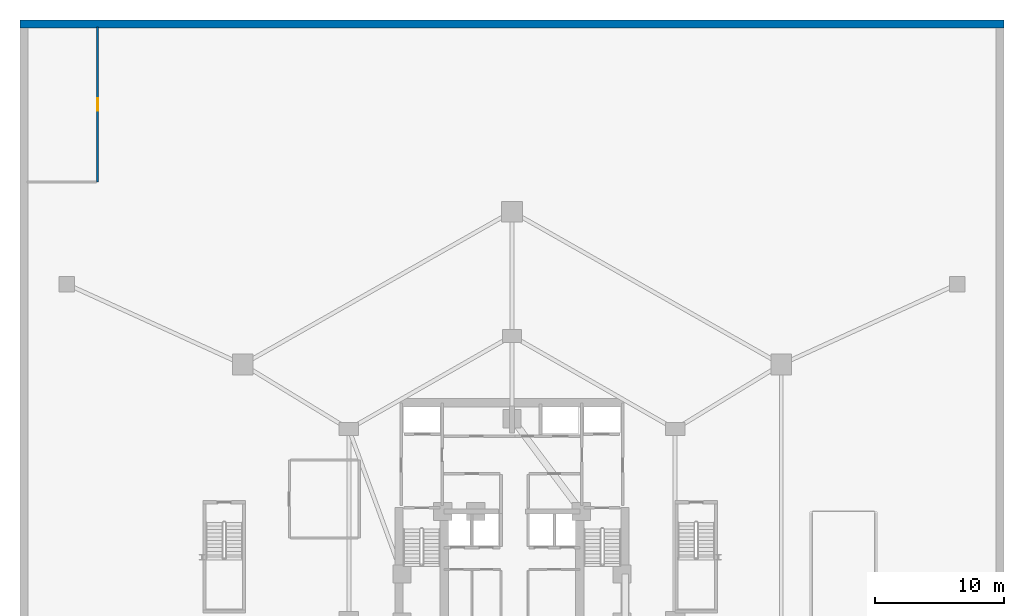
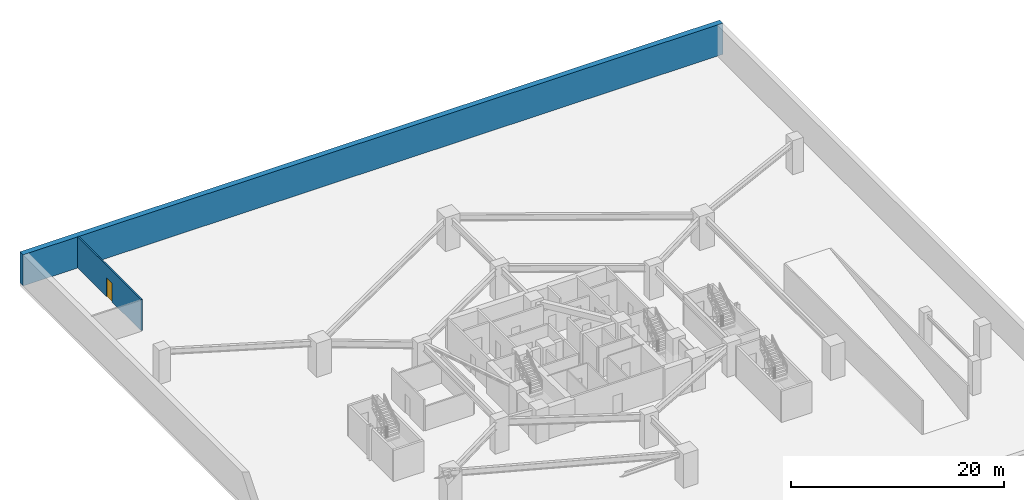
# One storey, part 9 of 12: 2 walls, 1 door, 1 opening.
"""IFC4 building model written with IfcOpenShell, lengths in metres."""

import ifcopenshell
import ifcopenshell.guid

model = None  # the IFC model being written
_history = None  # IfcOwnerHistory: only IFC2X3 demands one
_inside = {}  # id of a spatial element -> (the spatial element, [elements in it])
_under = {}  # id of a project, library or spatial element -> (it, [spatial elements below it])
_declared = {}  # id of a project -> (the project, [libraries it declares])
_typed = {}  # id of a type object -> (the type object, [elements of that type])
_made_of = {}  # id of a material, layer set ... -> (it, [elements and type objects made of it])


def new_model(schema):
    """Start an empty IFC model of exactly this schema.

    Asked for "IFC4X3", IfcOpenShell would pick the latest addendum, in which some entities
    have other attributes; the version numbers below select the first issue.
    IFC2X3 requires an IfcOwnerHistory on every rooted entity: one is made here for all.
    """
    global model, _history
    if schema == "IFC4X3":
        model = ifcopenshell.file(schema_version=(4, 3, 0, 0))
    else:
        model = ifcopenshell.file(schema=schema)
    _inside.clear()
    _under.clear()
    _declared.clear()
    _typed.clear()
    _made_of.clear()
    _history = None
    if model.schema == "IFC2X3":
        org = make("IfcOrganization", Name="unknown")
        user = make(
            "IfcPersonAndOrganization",
            ThePerson=make("IfcPerson", FamilyName="unknown"),
            TheOrganization=org,
        )
        app = make(
            "IfcApplication",
            ApplicationDeveloper=org,
            Version="unknown",
            ApplicationFullName="unknown",
            ApplicationIdentifier="unknown",
        )
        _history = make(
            "IfcOwnerHistory",
            OwningUser=user,
            OwningApplication=app,
            ChangeAction="ADDED",
            CreationDate=0,
        )
    return model


def make(cls, **values):
    """One entity of the class cls with the attributes given. An attribute that is None is left unset."""
    return model.create_entity(
        cls, **{name: value for name, value in values.items() if value is not None}
    )


def rooted(cls, **values):
    """An entity with a GlobalId (a new one), such as an element, a storey or a relation."""
    return make(cls, GlobalId=ifcopenshell.guid.new(), OwnerHistory=_history, **values)


def si_unit(unit_type, name, prefix=None):
    """IfcSIUnit, for example si_unit("LENGTHUNIT", "METRE", prefix="MILLI")."""
    return make("IfcSIUnit", UnitType=unit_type, Prefix=prefix, Name=name)


def assignment(units):
    """IfcUnitAssignment: the units of a project."""
    return None if units is None else make("IfcUnitAssignment", Units=units)


def point(xyz):
    """IfcCartesianPoint."""
    return None if xyz is None else make("IfcCartesianPoint", Coordinates=xyz)


def direction(xyz):
    """IfcDirection."""
    return None if xyz is None else make("IfcDirection", DirectionRatios=xyz)


def frame(location, z_axis=None, x_axis=None):
    """IfcAxis2Placement3D, a coordinate frame: its origin and axes. An axis left out is left unset."""
    return make(
        "IfcAxis2Placement3D",
        Location=point(location),
        Axis=direction(z_axis),
        RefDirection=direction(x_axis),
    )


def frame_2d(location, x_axis=None):
    """IfcAxis2Placement2D, a coordinate frame in the plane: its origin and x axis."""
    return make(
        "IfcAxis2Placement2D", Location=point(location), RefDirection=direction(x_axis)
    )


def origin():
    """The frame at (0, 0, 0) with its axes left unset."""
    return frame((0.0, 0.0, 0.0))


def place(relative_to, where):
    """IfcLocalPlacement: puts the frame where relative to a parent placement (None: the world)."""
    return make(
        "IfcLocalPlacement", PlacementRelTo=relative_to, RelativePlacement=where
    )


def context(
    kind, dimensions, precision=None, world=None, true_north=None, identifier=None
):
    """IfcGeometricRepresentationContext, for example the 3D "Model" context."""
    return make(
        "IfcGeometricRepresentationContext",
        ContextIdentifier=identifier,
        ContextType=kind,
        CoordinateSpaceDimension=dimensions,
        Precision=precision,
        WorldCoordinateSystem=world,
        TrueNorth=true_north,
    )


def subcontext(parent, identifier, kind, view, scale=None):
    """IfcGeometricRepresentationSubContext, for example "Body" below "Model"."""
    return make(
        "IfcGeometricRepresentationSubContext",
        ContextIdentifier=identifier,
        ContextType=kind,
        ParentContext=parent,
        TargetScale=scale,
        TargetView=view,
    )


def project(units=None, contexts=None):
    """IfcProject with its units and contexts."""
    return rooted(
        "IfcProject",
        Name="project",
        RepresentationContexts=contexts,
        UnitsInContext=assignment(units),
    )


def spatial(cls, under=None, at=None, **own):
    """A site, building, storey or space (cls), placed at a placement, below another one or the project."""
    s = rooted(cls, ObjectPlacement=at, **own)
    if under is not None:
        _under.setdefault(under.id(), (under, []))[1].append(s)
    return s


def profile(cls, at=None, kind="AREA", **sizes):
    """A parametric profile (cls). Its sizes go by their IFC names, for example OverallWidth=200.0."""
    return make(cls, ProfileType=kind, Position=at, **sizes)


def rectangle(**sizes):
    """IfcRectangleProfileDef."""
    return profile("IfcRectangleProfileDef", **sizes)


def extrude(swept, where, along, depth):
    """IfcExtrudedAreaSolid: the profile swept, set in the frame where, extruded along a direction by depth."""
    return make(
        "IfcExtrudedAreaSolid",
        SweptArea=swept,
        Position=where,
        ExtrudedDirection=direction(along),
        Depth=depth,
    )


def shape(context_of_items, identifier, shape_type, items):
    """IfcShapeRepresentation: the items that make up one representation, for example the "Body"."""
    return make(
        "IfcShapeRepresentation",
        ContextOfItems=context_of_items,
        RepresentationIdentifier=identifier,
        RepresentationType=shape_type,
        Items=items,
    )


def material(Name=None, Category=None):
    """IfcMaterial."""
    return make("IfcMaterial", Name=Name, Category=Category)


def layer(
    of_material, thickness, ventilated=None, Name=None, Category=None, Priority=None
):
    """IfcMaterialLayer: one layer of a wall or slab, of a material (None: an air gap)."""
    return make(
        "IfcMaterialLayer",
        Material=of_material,
        LayerThickness=thickness,
        IsVentilated=ventilated,
        Name=Name,
        Category=Category,
        Priority=Priority,
    )


def layer_set(layers, Name=None):
    """IfcMaterialLayerSet."""
    return make("IfcMaterialLayerSet", MaterialLayers=layers, LayerSetName=Name)


def made_of(thing, what):
    """Note that an element or type object is made of a material, layer set ...; save() writes the relation."""
    if what is not None:
        _made_of.setdefault(what.id(), (what, []))[1].append(thing)
    return thing


def type_object(cls, material=None, **own):
    """A type object (cls), such as IfcWallType, which elements share."""
    return made_of(rooted(cls, **own), material)


def element(
    cls,
    number,
    at=None,
    inside=None,
    cuts=None,
    type_object=None,
    material=None,
    context=None,
    identifier="Body",
    shape_type=None,
    held_by="IfcProductDefinitionShape",
    body=None,
    shapes=None,
    **own,
):
    """One element of the class cls, such as IfcWall. Its Tag is "e" and its number.

    at: its placement. inside: the storey or other place that contains it. cuts: it is an
    opening in that element (IfcRelVoidsElement). A single representation is given by context,
    identifier, shape_type and body (its items); several are given by shapes. held_by: the class
    of the entity that holds the representations. save() writes the other relations.
    """
    e = rooted(cls, Tag="e%d" % number, ObjectPlacement=at, **own)
    if body is not None:
        shapes = [shape(context, identifier, shape_type, body)]
    if shapes is not None:
        e.Representation = make(held_by, Representations=shapes)
    if inside is not None:
        _inside.setdefault(inside.id(), (inside, []))[1].append(e)
    if cuts is not None:
        rooted(
            "IfcRelVoidsElement", RelatingBuildingElement=cuts, RelatedOpeningElement=e
        )
    if type_object is not None:
        _typed.setdefault(type_object.id(), (type_object, []))[1].append(e)
    return made_of(e, material)


def fill(opening, filler):
    """IfcRelFillsElement: the door or window that sits in an opening."""
    return rooted(
        "IfcRelFillsElement",
        RelatingOpeningElement=opening,
        RelatedBuildingElement=filler,
    )


def aggregate(whole, parts):
    """IfcRelAggregates: a whole, such as a stair, and the parts it consists of."""
    return rooted("IfcRelAggregates", RelatingObject=whole, RelatedObjects=parts)


def save(model, path):
    """Write the relations noted so far, then the file.

    IfcRelAggregates (storeys below a building ...), IfcRelContainedInSpatialStructure (elements
    in a storey), IfcRelDefinesByType, IfcRelAssociatesMaterial and IfcRelDeclares: one each for
    every whole, place, type object, material and project.
    """
    for whole, parts in _under.values():
        aggregate(whole, parts)
    for where, things in _inside.values():
        rooted(
            "IfcRelContainedInSpatialStructure",
            RelatedElements=things,
            RelatingStructure=where,
        )
    for kind, things in _typed.values():
        rooted("IfcRelDefinesByType", RelatedObjects=things, RelatingType=kind)
    for what, things in _made_of.values():
        rooted("IfcRelAssociatesMaterial", RelatedObjects=things, RelatingMaterial=what)
    for by, libraries in _declared.values():
        rooted("IfcRelDeclares", RelatingContext=by, RelatedDefinitions=libraries)
    model.write(path)


model = new_model("IFC4")

# Units and contexts
model_context = context("Model", 3, precision=1e-05, world=origin(), true_north=direction((0.0, 1.0)))
body_context = subcontext(model_context, "Body", "Model", "MODEL_VIEW")
ifc_project = project(units=[si_unit("LENGTHUNIT", "METRE"), si_unit("AREAUNIT", "SQUARE_METRE"), si_unit("VOLUMEUNIT", "CUBIC_METRE"), si_unit("PLANEANGLEUNIT", "RADIAN"), si_unit("MASSUNIT", "GRAM", prefix="KILO")], contexts=[model_context])

# Site, building, storey
site_placement = place(None, origin())
site = spatial("IfcSite", under=ifc_project, at=site_placement, CompositionType="ELEMENT")
building_placement = place(site_placement, origin())
building = spatial("IfcBuilding", under=site, at=building_placement, Name="Miruveldt Soraemaru", CompositionType="ELEMENT")
storey_placement = place(building_placement, frame((0.0, 0.0, -11.699951171875)))
storey = spatial("IfcBuildingStorey", under=building, at=storey_placement, Name="B3", CompositionType="ELEMENT", Elevation=-11.699951171875)

# Wall, opening, door
ifc_material_1 = material(Name="Concrete C40/50 (40 MPa)", Category="concrete")
ifc_layer_1 = layer(ifc_material_1, 0.159912109375, Name="Concrete C40/50 (40 MPa)", Category="concrete")
ifc_layer_set_1 = layer_set([ifc_layer_1], Name="Concrete C40/50 (40 MPa)")
wall_type_1 = type_object("IfcWallType", Name="WALL-INT-RC160", PredefinedType="SOLIDWALL", material=ifc_layer_set_1)
wall_1_placement = place(storey_placement, frame((12.0, 81.449951171875, 0.0), z_axis=(0.0, 0.0, 1.0), x_axis=(0.0, -1.0, 0.0)))
wall_1 = element("IfcWall", 1, at=wall_1_placement, inside=storey, type_object=wall_type_1, Name="B3 Partition Wall 1", PredefinedType="SOLIDWALL", context=body_context, shape_type="SweptSolid", body=[
    extrude(rectangle(XDim=11.949951171875, YDim=0.159912109375, at=frame_2d((5.97509765625, 0.0))), origin(), (0.0, 0.0, 1.0), 3.579833984375),
])
opening_placement = place(wall_1_placement, frame((5.47509765625, 0.0, 0.0)))
opening = element("IfcOpeningElement", 2, at=opening_placement, cuts=wall_1, Name="Opening FD1", PredefinedType="OPENING", context=body_context, shape_type="SweptSolid", body=[
    extrude(rectangle(XDim=1.0, YDim=2.14990234375, at=frame_2d((0.5, 1.074951171875))), frame((0.0, 0.08984375, 0.0), z_axis=(0.0, -1.0, 0.0), x_axis=(1.0, 0.0, 0.0)), (0.0, 0.0, 1.0), 0.179931640625),
])
ifc_material_2 = material(Name="Anodised aluminium EN AW-6063 T6", Category="aluminium")
door_type = type_object("IfcDoorType", Name="DOOR-FD1-1000", OperationType="NOTDEFINED", PredefinedType="DOOR", material=ifc_material_2)
door_placement = place(opening_placement, origin())
door = element("IfcDoor", 3, at=door_placement, inside=storey, type_object=door_type, Name="B3 Domestic Booster Pump Room Fire Door", OperationType="SINGLE_SWING_LEFT", OverallHeight=2.14990234375, OverallWidth=1.0, PredefinedType="DOOR", context=body_context, shape_type="SweptSolid", body=[
    extrude(rectangle(XDim=1.0, YDim=2.14990234375, at=frame_2d((0.5, 1.074951171875))), frame((0.0, 0.02490234375, 0.0), z_axis=(0.0, -1.0, 0.0), x_axis=(1.0, 0.0, 0.0)), (0.0, 0.0, 1.0), 0.050048828125),
])
fill(opening, door)

# Wall
ifc_material_3 = material(Name="Concrete C50/60 (50 MPa)", Category="concrete")
ifc_layer_2 = layer(ifc_material_3, 0.60009765625, Name="Concrete C50/60 (50 MPa)", Category="concrete")
ifc_layer_set_2 = layer_set([ifc_layer_2], Name="Concrete C50/60 (50 MPa)")
wall_type_2 = type_object("IfcWallType", Name="WALL-RET-600", PredefinedType="SOLIDWALL", material=ifc_layer_set_2)
wall_2_placement = place(storey_placement, frame((82.0, 81.699951171875, 0.0), z_axis=(0.0, 0.0, 1.0), x_axis=(-1.0, 0.0, 0.0)))
element("IfcWall", 4, at=wall_2_placement, inside=storey, type_object=wall_type_2, Name="B3 Perimeter Slurry Retaining Wall N", PredefinedType="SOLIDWALL", context=body_context, shape_type="SweptSolid", body=[
    extrude(rectangle(XDim=76.0, YDim=0.60009765625, at=frame_2d((38.0, 0.0))), origin(), (0.0, 0.0, 1.0), 3.579833984375),
])

save(model, "model.ifc")
